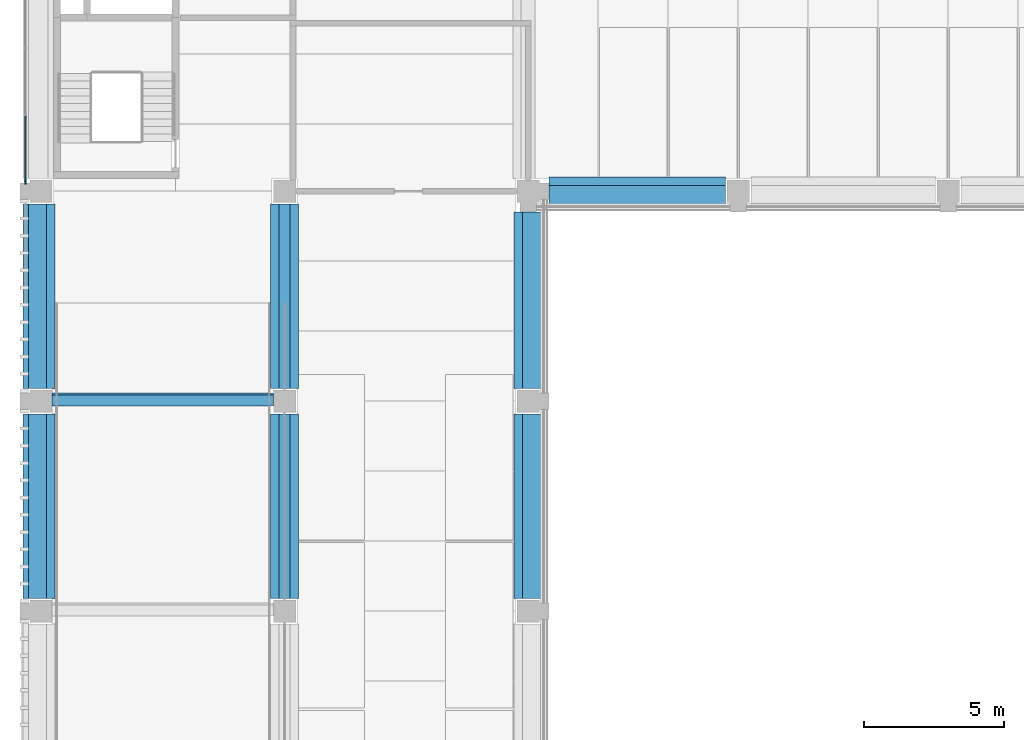
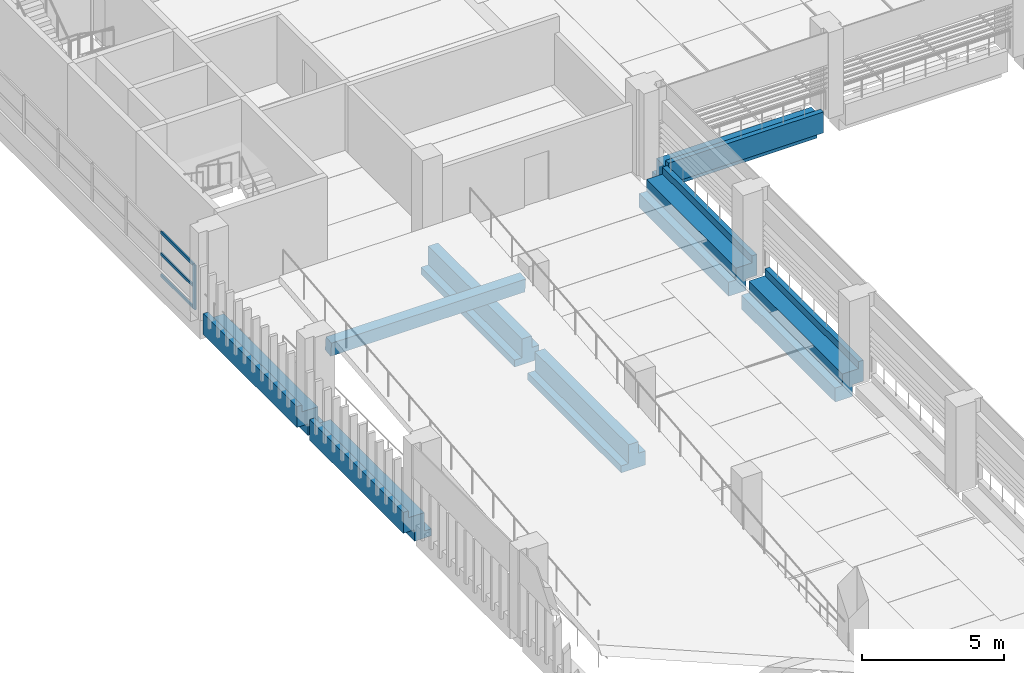
# One storey, part 3 of 61: 8 beams, 4 members, 1 element without a shape of its own.
"""IFC4 building model written with IfcOpenShell, lengths in metres."""

from ifc_helpers import new_model, si_unit, direction, frame, origin, origin_2d, place, context, subcontext, project, spatial, polyline, rectangle, outline, extrude, material, layer, layer_set, material_profile, profile_set, type_object, element, aggregate, save


model = new_model("IFC4")

# Units and contexts
model_context = context("Model", 3, precision=1e-05, world=origin(), true_north=direction((0.0, 1.0)))
body_context = subcontext(model_context, "Body", "Model", "MODEL_VIEW")
ifc_project = project(units=[si_unit("LENGTHUNIT", "METRE"), si_unit("AREAUNIT", "SQUARE_METRE"), si_unit("VOLUMEUNIT", "CUBIC_METRE"), si_unit("PLANEANGLEUNIT", "RADIAN"), si_unit("MASSUNIT", "GRAM", prefix="KILO")], contexts=[model_context])

# Site, building, storey
site_placement = place(None, origin())
site = spatial("IfcSite", under=ifc_project, at=site_placement, CompositionType="ELEMENT")
building_placement = place(site_placement, origin())
building = spatial("IfcBuilding", under=site, at=building_placement, Name="Cour d'Honneur Mobility Palace", CompositionType="ELEMENT")
storey_placement = place(building_placement, frame((0.0, 0.0, 11.89990234375)))
storey = spatial("IfcBuildingStorey", under=building, at=storey_placement, Name="L03", CompositionType="ELEMENT", Elevation=11.89990234375)

# Curtain wall, members
ifc_material_1 = material(Name="Aluminium and glass", Category="aluminium")
ifc_layer = layer(ifc_material_1, 0.10009765625)
ifc_layer_set = layer_set([ifc_layer], Name="Aluminium and glass")
curtain_wall_type = type_object("IfcCurtainWallType", Name="Curtain wall run", PredefinedType="NOTDEFINED", material=ifc_layer_set)
curtain_wall_placement = place(storey_placement, origin())
curtain_wall = element("IfcCurtainWall", 1, at=curtain_wall_placement, inside=storey, type_object=curtain_wall_type, Name="Curtain wall CW-102", PredefinedType="NOTDEFINED")
ifc_material_2 = material(Name="Aluminium", Category="aluminium")
ifc_material_profile_1 = material_profile(ifc_material_2, rectangle(XDim=0.06005859375, YDim=0.159912109375, at=origin_2d()), Name="Curtain wall mullion")
ifc_profile_set_1 = profile_set([ifc_material_profile_1], Name="Aluminium")
member_type_1 = type_object("IfcMemberType", Name="Curtain wall mullion", PredefinedType="MULLION", material=ifc_profile_set_1)
member_1_placement = place(storey_placement, frame((-0.550048828125, 45.330078125, 0.0), z_axis=(0.0, 0.0, 1.0), x_axis=(1.0, 0.0, 0.0)))
member_1 = element("IfcMember", 2, at=member_1_placement, type_object=member_type_1, Name="CW-102 mullion 8", PredefinedType="MULLION", context=body_context, shape_type="SweptSolid", body=[
    extrude(rectangle(XDim=0.06005859375, YDim=0.159912109375, at=origin_2d()), origin(), (0.0, 0.0, 1.0), 1.900146484375),
])
ifc_material_3 = material(Name="Aluminium", Category="aluminium")
ifc_material_profile_2 = material_profile(ifc_material_3, rectangle(XDim=0.06005859375, YDim=0.1201171875, at=origin_2d()), Name="Curtain wall transom")
ifc_profile_set_2 = profile_set([ifc_material_profile_2], Name="Aluminium")
member_type_2 = type_object("IfcMemberType", Name="Curtain wall transom", PredefinedType="USERDEFINED", material=ifc_profile_set_2)
member_2_placement = place(storey_placement, frame((-0.550048828125, 47.669921875, 0.030029296875), z_axis=(0.0, -1.0, 0.0), x_axis=(1.0, 0.0, 0.0)))
member_2 = element("IfcMember", 3, at=member_2_placement, type_object=member_type_2, Name="CW-102 transom 7.1", ObjectType="TRANSOM", PredefinedType="USERDEFINED", context=body_context, shape_type="SweptSolid", body=[
    extrude(rectangle(XDim=0.06005859375, YDim=0.1201171875, at=origin_2d()), origin(), (0.0, 0.0, 1.0), 2.309814453125),
])
member_3_placement = place(storey_placement, frame((-0.550048828125, 47.669921875, 0.9501953125), z_axis=(0.0, -1.0, 0.0), x_axis=(1.0, 0.0, 0.0)))
member_3 = element("IfcMember", 4, at=member_3_placement, type_object=member_type_2, Name="CW-102 transom 7.2", ObjectType="TRANSOM", PredefinedType="USERDEFINED", context=body_context, shape_type="SweptSolid", body=[
    extrude(rectangle(XDim=0.06005859375, YDim=0.1201171875, at=origin_2d()), origin(), (0.0, 0.0, 1.0), 2.309814453125),
])
member_4_placement = place(storey_placement, frame((-0.550048828125, 47.669921875, 1.8701171875), z_axis=(0.0, -1.0, 0.0), x_axis=(1.0, 0.0, 0.0)))
member_4 = element("IfcMember", 5, at=member_4_placement, type_object=member_type_2, Name="CW-102 transom 7.3", ObjectType="TRANSOM", PredefinedType="USERDEFINED", context=body_context, shape_type="SweptSolid", body=[
    extrude(rectangle(XDim=0.06005859375, YDim=0.1201171875, at=origin_2d()), origin(), (0.0, 0.0, 1.0), 2.309814453125),
])
aggregate(curtain_wall, [member_1, member_2, member_3, member_4])

# Beams
ifc_material_4 = material(Name="Concrete C45", Category="concrete")
ifc_material_profile_3 = material_profile(ifc_material_4, outline(polyline([(0.5, -1.10009765625), (0.5, -0.800048828125), (0.199951171875, -0.800048828125), (0.199951171875, 0.0), (-0.199951171875, 0.0), (-0.199951171875, -0.5), (-0.5, -0.5), (-0.5, -1.10009765625), (0.5, -1.10009765625)])), Name="Inverted Tee Beam 400x1100 ledges 300/600 plain")
ifc_profile_set_3 = profile_set([ifc_material_profile_3], Name="Concrete C45")
beam_type_1 = type_object("IfcBeamType", Name="Inverted Tee Beam 400x1100 ledges 300/600 plain", PredefinedType="T_BEAM", material=ifc_profile_set_3)
for number, where, z_axis, x_axis, name in (
    (6, (8.699951171875, 30.449951171875, 0.0), (0.0, 1.0, 0.0), (-1.0, 0.0, 0.0), "Precast beam B11 E-F L03"),
    (7, (8.699951171875, 37.949951171875, 0.0), (0.0, 1.0, 0.0), (-1.0, 0.0, 0.0), "Precast beam B11 F-G L03"),
):
    element("IfcBeam", number, at=place(storey_placement, frame(where, z_axis=z_axis, x_axis=x_axis)), inside=storey, type_object=beam_type_1, Name=name, PredefinedType="T_BEAM", context=body_context, shape_type="SweptSolid", body=[
        extrude(outline(polyline([(0.5, -1.10009765625), (0.5, -0.800048828125), (0.199951171875, -0.800048828125), (0.199951171875, 0.0), (-0.199951171875, 0.0), (-0.199951171875, -0.5), (-0.5, -0.5), (-0.5, -1.10009765625), (0.5, -1.10009765625)])), origin(), (0.0, 0.0, 1.0), 6.60009765625),
    ])
ifc_material_5 = material(Name="Concrete C45", Category="concrete")
ifc_material_profile_4 = material_profile(ifc_material_5, outline(polyline([(0.5, -1.10009765625), (0.5, -0.75), (0.199951171875, -0.75), (0.199951171875, 0.0), (-0.199951171875, 0.0), (-0.449951171875, 0.0), (-0.449951171875, 0.300048828125), (-0.64990234375, 0.300048828125), (-0.64990234375, -0.60009765625), (-0.199951171875, -0.60009765625), (-0.199951171875, -1.10009765625), (0.5, -1.10009765625)])), Name="Ledger Beam 400x1100 ledge left 350 facade right")
ifc_profile_set_4 = profile_set([ifc_material_profile_4], Name="Concrete C45")
beam_type_2 = type_object("IfcBeamType", Name="Ledger Beam 400x1100 ledge left 350 facade right", PredefinedType="BEAM", material=ifc_profile_set_4)
beam_1_placement = place(storey_placement, frame((18.14990234375, 45.0, 0.0), z_axis=(1.0, 0.0, 0.0), x_axis=(0.0, 1.0, 0.0)))
element("IfcBeam", 8, at=beam_1_placement, inside=storey, type_object=beam_type_2, Name="Precast beam B2 2-3 L03", PredefinedType="BEAM", context=body_context, shape_type="SweptSolid", body=[
    extrude(outline(polyline([(0.5, -1.10009765625), (0.5, -0.75), (0.199951171875, -0.75), (0.199951171875, 0.0), (-0.199951171875, 0.0), (-0.449951171875, 0.0), (-0.449951171875, 0.300048828125), (-0.64990234375, 0.300048828125), (-0.64990234375, -0.60009765625), (-0.199951171875, -0.60009765625), (-0.199951171875, -1.10009765625), (0.5, -1.10009765625)])), origin(), (0.0, 0.0, 1.0), 6.300048828125),
])
ifc_material_6 = material(Name="Concrete C45", Category="concrete")
ifc_material_profile_5 = material_profile(ifc_material_6, outline(polyline([(0.5, -1.10009765625), (0.5, -0.5), (0.199951171875, -0.5), (0.199951171875, 0.0), (-0.199951171875, 0.0), (-0.449951171875, 0.0), (-0.449951171875, 0.300048828125), (-0.64990234375, 0.300048828125), (-0.64990234375, -0.60009765625), (-0.199951171875, -0.60009765625), (-0.199951171875, -1.10009765625), (0.5, -1.10009765625)])), Name="Ledger Beam 400x1100 ledge left 600 facade right")
ifc_profile_set_5 = profile_set([ifc_material_profile_5], Name="Concrete C45")
beam_type_3 = type_object("IfcBeamType", Name="Ledger Beam 400x1100 ledge left 600 facade right", PredefinedType="BEAM", material=ifc_profile_set_5)
beam_2_placement = place(storey_placement, frame((17.39990234375, 30.449951171875, 0.0), z_axis=(0.0, 1.0, 0.0), x_axis=(-1.0, 0.0, 0.0)))
element("IfcBeam", 9, at=beam_2_placement, inside=storey, type_object=beam_type_3, Name="Precast beam B12 E-F L03", PredefinedType="BEAM", context=body_context, shape_type="SweptSolid", body=[
    extrude(outline(polyline([(0.5, -1.10009765625), (0.5, -0.5), (0.199951171875, -0.5), (0.199951171875, 0.0), (-0.199951171875, 0.0), (-0.449951171875, 0.0), (-0.449951171875, 0.300048828125), (-0.64990234375, 0.300048828125), (-0.64990234375, -0.60009765625), (-0.199951171875, -0.60009765625), (-0.199951171875, -1.10009765625), (0.5, -1.10009765625)])), origin(), (0.0, 0.0, 1.0), 6.60009765625),
])
beam_3_placement = place(storey_placement, frame((17.39990234375, 37.949951171875, 0.0), z_axis=(0.0, 1.0, 0.0), x_axis=(-1.0, 0.0, 0.0)))
element("IfcBeam", 10, at=beam_3_placement, inside=storey, type_object=beam_type_3, Name="Precast beam B12 F-G L03", PredefinedType="BEAM", context=body_context, shape_type="SweptSolid", body=[
    extrude(outline(polyline([(0.5, -1.10009765625), (0.5, -0.5), (0.199951171875, -0.5), (0.199951171875, 0.0), (-0.199951171875, 0.0), (-0.449951171875, 0.0), (-0.449951171875, 0.300048828125), (-0.64990234375, 0.300048828125), (-0.64990234375, -0.60009765625), (-0.199951171875, -0.60009765625), (-0.199951171875, -1.10009765625), (0.5, -1.10009765625)])), origin(), (0.0, 0.0, 1.0), 6.300048828125),
])
ifc_material_7 = material(Name="Concrete C45", Category="concrete")
ifc_material_profile_6 = material_profile(ifc_material_7, outline(polyline([(0.199951171875, -1.10009765625), (0.199951171875, -0.60009765625), (0.64990234375, -0.60009765625), (0.64990234375, 0.300048828125), (0.449951171875, 0.300048828125), (0.449951171875, 0.0), (0.199951171875, 0.0), (-0.199951171875, 0.0), (-0.199951171875, -0.800048828125), (-0.5, -0.800048828125), (-0.5, -1.10009765625), (0.199951171875, -1.10009765625)])), Name="Ledger Beam 400x1100 ledge right 300 facade left")
ifc_profile_set_6 = profile_set([ifc_material_profile_6], Name="Concrete C45")
beam_type_4 = type_object("IfcBeamType", Name="Ledger Beam 400x1100 ledge right 300 facade left", PredefinedType="BEAM", material=ifc_profile_set_6)
for number, where, z_axis, x_axis, name in (
    (11, (0.0, 30.449951171875, 0.0), (0.0, 1.0, 0.0), (-1.0, 0.0, 0.0), "Precast beam B6 E-F L03"),
    (12, (0.0, 37.949951171875, 0.0), (0.0, 1.0, 0.0), (-1.0, 0.0, 0.0), "Precast beam B6 F-G L03"),
):
    element("IfcBeam", number, at=place(storey_placement, frame(where, z_axis=z_axis, x_axis=x_axis)), inside=storey, type_object=beam_type_4, Name=name, PredefinedType="BEAM", context=body_context, shape_type="SweptSolid", body=[
        extrude(outline(polyline([(0.199951171875, -1.10009765625), (0.199951171875, -0.60009765625), (0.64990234375, -0.60009765625), (0.64990234375, 0.300048828125), (0.449951171875, 0.300048828125), (0.449951171875, 0.0), (0.199951171875, 0.0), (-0.199951171875, 0.0), (-0.199951171875, -0.800048828125), (-0.5, -0.800048828125), (-0.5, -1.10009765625), (0.199951171875, -1.10009765625)])), origin(), (0.0, 0.0, 1.0), 6.60009765625),
    ])
ifc_material_8 = material(Name="Concrete C40", Category="concrete")
ifc_material_profile_7 = material_profile(ifc_material_8, rectangle(XDim=0.39990234375, YDim=0.60009765625, at=origin_2d()), Name="Ramp cross beam 400x600")
ifc_profile_set_7 = profile_set([ifc_material_profile_7], Name="Concrete C40")
beam_type_5 = type_object("IfcBeamType", Name="Ramp cross beam 400x600", PredefinedType="BEAM", material=ifc_profile_set_7)
beam_4_placement = place(storey_placement, frame((0.39990234375, 37.559814453125, 2.753173828125), z_axis=(1.0, 0.0, 0.0), x_axis=(0.0, 0.995037190449, 0.099503716633)))
element("IfcBeam", 13, at=beam_4_placement, inside=storey, type_object=beam_type_5, Name="Ramp cross beam SW.R3-5", PredefinedType="BEAM", context=body_context, shape_type="SweptSolid", body=[
    extrude(rectangle(XDim=0.39990234375, YDim=0.60009765625, at=origin_2d()), origin(), (0.0, 0.0, 1.0), 7.900146484375),
])

save(model, "model.ifc")
